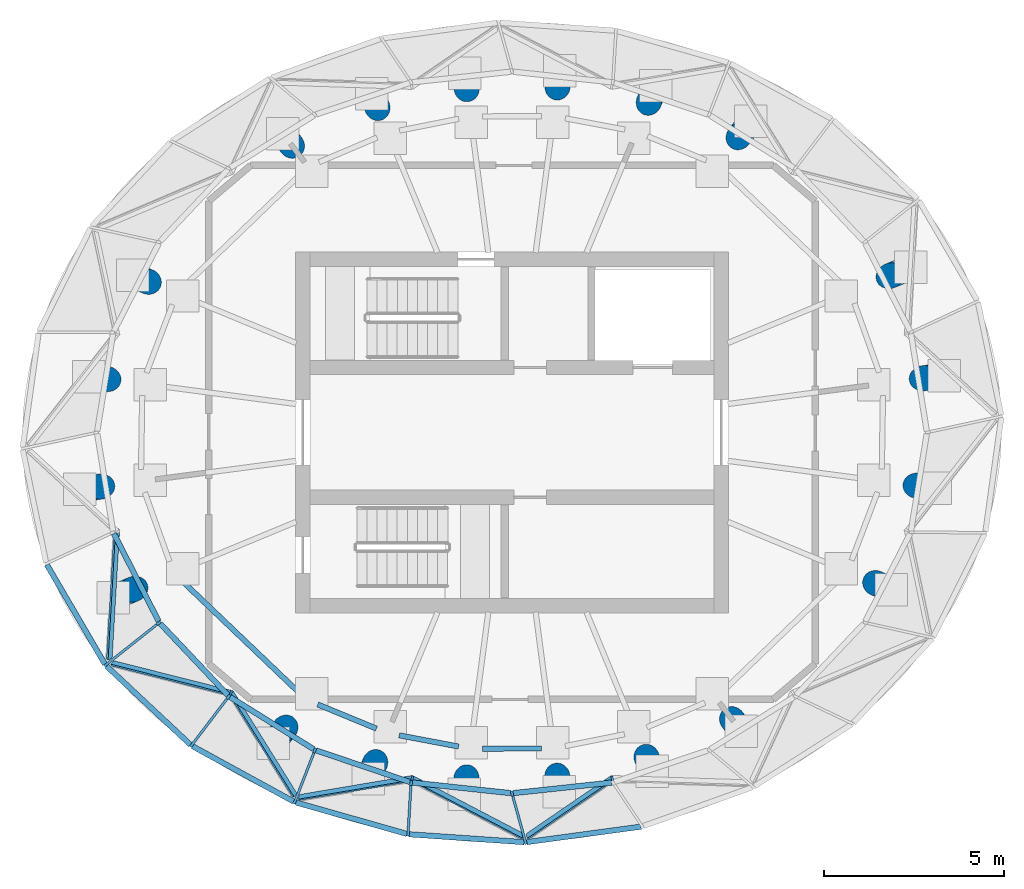
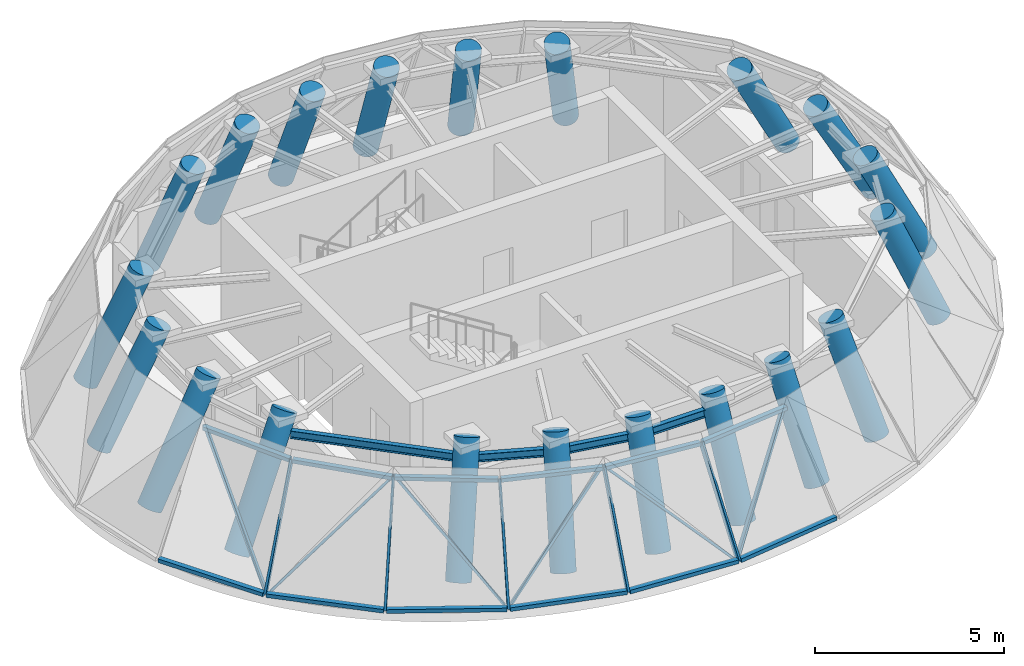
# One storey, part 1 of 8: 23 members, 20 columns, 4 beams, 12 elements without a shape of their own.
"""IFC4 building model written with IfcOpenShell, lengths in metres."""

from ifc_helpers import new_model, si_unit, direction, frame, origin, origin_2d, place, context, subcontext, project, spatial, rectangle, circle, i_section, extrude, source, transform, mapped, material, layer, layer_set, material_profile, profile_set, type_object, element, aggregate, save


model = new_model("IFC4")

# Units and contexts
model_context = context("Model", 3, precision=1e-05, world=origin(), true_north=direction((0.0, 1.0)))
body_context = subcontext(model_context, "Body", "Model", "MODEL_VIEW")
ifc_project = project(units=[si_unit("LENGTHUNIT", "METRE"), si_unit("AREAUNIT", "SQUARE_METRE"), si_unit("VOLUMEUNIT", "CUBIC_METRE"), si_unit("PLANEANGLEUNIT", "RADIAN"), si_unit("MASSUNIT", "GRAM", prefix="KILO")], contexts=[model_context])

# Site, building, storey
site_placement = place(None, origin())
site = spatial("IfcSite", under=ifc_project, at=site_placement, CompositionType="ELEMENT")
building_placement = place(site_placement, origin())
building = spatial("IfcBuilding", under=site, at=building_placement, Name="Spindrift Exchange Tower", CompositionType="ELEMENT")
storey_placement = place(building_placement, frame((0.0, 0.0, 283.60009765625)))
storey = spatial("IfcBuildingStorey", under=building, at=storey_placement, Name="L70", CompositionType="ELEMENT", Elevation=283.60009765625)

# Columns
ifc_material_1 = material(Name="Concrete 40 MPa", Category="concrete")
ifc_material_profile_1 = material_profile(ifc_material_1, circle(Radius=0.35009765625, at=origin_2d()), Name="RC D700")
ifc_profile_set_1 = profile_set([ifc_material_profile_1], Name="Concrete 40 MPa")
column_type = type_object("IfcColumnType", Name="RC Perimeter Column D700 Concrete 40 MPa", PredefinedType="COLUMN", material=ifc_profile_set_1)
shared_shape_1 = source(origin(), body_context, "Body", "SweptSolid", [
    extrude(circle(Radius=0.35009765625, at=origin_2d()), origin(), (0.0, 0.0, 1.0), 4.014404296875),
])
for number, where, z_axis, x_axis, name in (
    (1, (63.980224609375, 49.5771484375, 0.17431640625), (-0.485558404991, -0.063918071599, 0.871864390525), (0.130512333023, -0.991446685873, 0.0), "Perimeter column P6-01 L70"),
    (2, (40.019775390625, 46.4228515625, 0.17431640625), (0.485558404991, 0.063918071599, 0.871864390525), (-0.130512333023, 0.991446685873, 0.0), "Perimeter column P6-13 L70"),
):
    element("IfcColumn", number, at=place(storey_placement, frame(where, z_axis=z_axis, x_axis=x_axis)), inside=storey, type_object=column_type, Name=name, PredefinedType="COLUMN", context=body_context, shape_type="MappedRepresentation", body=[
        mapped(shared_shape_1, transform((0.0, 0.0, 0.0), scale=1.0)),
    ])
shared_shape_2 = source(origin(), body_context, "Body", "SweptSolid", [
    extrude(circle(Radius=0.35009765625, at=origin_2d()), origin(), (0.0, 0.0, 1.0), 3.907958984375),
])
for number, where, z_axis, x_axis, name in (
    (3, (58.61328125, 56.618896484375, 0.15869140625), (-0.270755010199, -0.352968575825, 0.89560309788), (0.793448113602, -0.608637898115, 0.0), "Perimeter column P6-04 L70"),
    (4, (45.38671875, 39.381103515625, 0.15869140625), (0.270755010199, 0.352968575825, 0.89560309788), (-0.793448113602, 0.608637898115, 0.0), "Perimeter column P6-16 L70"),
):
    element("IfcColumn", number, at=place(storey_placement, frame(where, z_axis=z_axis, x_axis=x_axis)), inside=storey, type_object=column_type, Name=name, PredefinedType="COLUMN", context=body_context, shape_type="MappedRepresentation", body=[
        mapped(shared_shape_2, transform((0.0, 0.0, 0.0), scale=1.0)),
    ])
shared_shape_3 = source(origin(), body_context, "Body", "SweptSolid", [
    extrude(circle(Radius=0.35009765625, at=origin_2d()), origin(), (0.0, 0.0, 1.0), 3.83349609375),
])
for number, where, z_axis, x_axis, name in (
    (5, (55.977294921875, 57.601806640625, 0.145751953125), (-0.156153714732, -0.376946915782, 0.912977020553), (0.923864636245, -0.382719393153, 0.0), "Perimeter column P6-05 L70"),
    (6, (48.022705078125, 38.398193359375, 0.145751953125), (0.156153714732, 0.376946915782, 0.912977020553), (-0.923864636245, 0.382719393153, 0.0), "Perimeter column P6-17 L70"),
):
    element("IfcColumn", number, at=place(storey_placement, frame(where, z_axis=z_axis, x_axis=x_axis)), inside=storey, type_object=column_type, Name=name, PredefinedType="COLUMN", context=body_context, shape_type="MappedRepresentation", body=[
        mapped(shared_shape_3, transform((0.0, 0.0, 0.0), scale=1.0)),
    ])
shared_shape_4 = source(origin(), body_context, "Body", "SweptSolid", [
    extrude(circle(Radius=0.35009765625, at=origin_2d()), origin(), (0.0, 0.0, 1.0), 3.784423828125),
])
for number, where, z_axis, x_axis, name in (
    (7, (53.319580078125, 58.023193359375, 0.135986328125), (-0.049674543277, -0.377074942147, 0.924849678464), (0.99143407694, -0.130608081992, 0.0), "Perimeter column P6-06 L70"),
    (8, (50.680419921875, 37.976806640625, 0.135986328125), (0.049674543277, 0.377074942147, 0.924849678464), (-0.99143407694, 0.130608081992, 0.0), "Perimeter column P6-18 L70"),
):
    element("IfcColumn", number, at=place(storey_placement, frame(where, z_axis=z_axis, x_axis=x_axis)), inside=storey, type_object=column_type, Name=name, PredefinedType="COLUMN", context=body_context, shape_type="MappedRepresentation", body=[
        mapped(shared_shape_4, transform((0.0, 0.0, 0.0), scale=1.0)),
    ])
shared_shape_5 = source(origin(), body_context, "Body", "SweptSolid", [
    extrude(circle(Radius=0.35009765625, at=origin_2d()), origin(), (0.0, 0.0, 1.0), 3.75927734375),
])
for number, where, z_axis, x_axis, name in (
    (9, (50.689208984375, 57.9560546875, 0.130615234375), (0.047669920911, -0.361745857591, 0.931057201871), (0.991428831601, 0.13064789271, 0.0), "Perimeter column P6-07 L70"),
    (10, (53.310791015625, 38.0439453125, 0.130615234375), (-0.047669920911, 0.361745857591, 0.931057201871), (-0.991428831601, -0.13064789271, 0.0), "Perimeter column P6-19 L70"),
):
    element("IfcColumn", number, at=place(storey_placement, frame(where, z_axis=z_axis, x_axis=x_axis)), inside=storey, type_object=column_type, Name=name, PredefinedType="COLUMN", context=body_context, shape_type="MappedRepresentation", body=[
        mapped(shared_shape_5, transform((0.0, 0.0, 0.0), scale=1.0)),
    ])
shared_shape_6 = source(origin(), body_context, "Body", "SweptSolid", [
    extrude(circle(Radius=0.35009765625, at=origin_2d()), origin(), (0.0, 0.0, 1.0), 3.746826171875),
])
for number, where, z_axis, x_axis, name in (
    (11, (48.109619140625, 57.39208984375, 0.127685546875), (0.136577604612, -0.329715018769, 0.934149112464), (0.923874408562, 0.38269580244, 0.0), "Perimeter column P6-08 L70"),
    (12, (55.890380859375, 38.60791015625, 0.127685546875), (-0.136577604612, 0.329715018769, 0.934149112464), (-0.923874408562, -0.38269580244, 0.0), "Perimeter column P6-20 L70"),
):
    element("IfcColumn", number, at=place(storey_placement, frame(where, z_axis=z_axis, x_axis=x_axis)), inside=storey, type_object=column_type, Name=name, PredefinedType="COLUMN", context=body_context, shape_type="MappedRepresentation", body=[
        mapped(shared_shape_6, transform((0.0, 0.0, 0.0), scale=1.0)),
    ])
shared_shape_7 = source(origin(), body_context, "Body", "SweptSolid", [
    extrude(circle(Radius=0.35009765625, at=origin_2d()), origin(), (0.0, 0.0, 1.0), 3.807373046875),
])
for number, where, z_axis, x_axis, name in (
    (13, (41.486572265625, 52.354736328125, 0.140625), (0.363645996148, -0.150626775693, 0.919278610613), (0.382682721486, 0.923879826967, 0.0), "Perimeter column P6-11 L70"),
    (14, (62.513427734375, 43.645263671875, 0.140625), (-0.363645996148, 0.150626775693, 0.919278610613), (-0.382682721486, -0.923879826967, 0.0), "Perimeter column P6-23 L70"),
):
    element("IfcColumn", number, at=place(storey_placement, frame(where, z_axis=z_axis, x_axis=x_axis)), inside=storey, type_object=column_type, Name=name, PredefinedType="COLUMN", context=body_context, shape_type="MappedRepresentation", body=[
        mapped(shared_shape_7, transform((0.0, 0.0, 0.0), scale=1.0)),
    ])
shared_shape_8 = source(origin(), body_context, "Body", "SweptSolid", [
    extrude(circle(Radius=0.35009765625, at=origin_2d()), origin(), (0.0, 0.0, 1.0), 3.898193359375),
])
for number, where, z_axis, x_axis, name in (
    (15, (40.26708984375, 49.544677734375, 0.156982421875), (0.436576513493, -0.057492072785, 0.897828273911), (0.13056120367, 0.9914402514, 0.0), "Perimeter column P6-12 L70"),
    (16, (63.73291015625, 46.455322265625, 0.156982421875), (-0.436576513493, 0.057492072785, 0.897828273911), (-0.13056120367, -0.9914402514, 0.0), "Perimeter column P6-24 L70"),
):
    element("IfcColumn", number, at=place(storey_placement, frame(where, z_axis=z_axis, x_axis=x_axis)), inside=storey, type_object=column_type, Name=name, PredefinedType="COLUMN", context=body_context, shape_type="MappedRepresentation", body=[
        mapped(shared_shape_8, transform((0.0, 0.0, 0.0), scale=1.0)),
    ])
shared_shape_9 = source(origin(), body_context, "Body", "SweptSolid", [
    extrude(circle(Radius=0.35009765625, at=origin_2d()), origin(), (0.0, 0.0, 1.0), 4.069580078125),
])
for number, where, z_axis, x_axis, name in (
    (17, (63.047119140625, 52.57568359375, 0.181396484375), (-0.471365631204, -0.195217483001, 0.86006079788), (0.382635660379, -0.923899318869, 0.0), "Perimeter column P6-02 L70"),
    (18, (40.952880859375, 43.42431640625, 0.181396484375), (0.471365631204, 0.195217483001, 0.86006079788), (-0.382635660379, 0.923899318869, 0.0), "Perimeter column P6-14 L70"),
):
    element("IfcColumn", number, at=place(storey_placement, frame(where, z_axis=z_axis, x_axis=x_axis)), inside=storey, type_object=column_type, Name=name, PredefinedType="COLUMN", context=body_context, shape_type="MappedRepresentation", body=[
        mapped(shared_shape_9, transform((0.0, 0.0, 0.0), scale=1.0)),
    ])
shared_shape_10 = source(origin(), body_context, "Body", "SweptSolid", [
    extrude(circle(Radius=0.35009765625, at=origin_2d()), origin(), (0.0, 0.0, 1.0), 3.738525390625),
])
for number, where, z_axis, x_axis, name in (
    (19, (45.644775390625, 56.2822265625, 0.1259765625), (0.213995199353, -0.278905552773, 0.936171857773), (0.793376088289, 0.608731782094, 0.0), "Perimeter column P6-09 L70"),
    (20, (58.355224609375, 39.7177734375, 0.1259765625), (-0.213995199353, 0.278905552773, 0.936171857773), (-0.793376088289, -0.608731782094, 0.0), "Perimeter column P6-21 L70"),
):
    element("IfcColumn", number, at=place(storey_placement, frame(where, z_axis=z_axis, x_axis=x_axis)), inside=storey, type_object=column_type, Name=name, PredefinedType="COLUMN", context=body_context, shape_type="MappedRepresentation", body=[
        mapped(shared_shape_10, transform((0.0, 0.0, 0.0), scale=1.0)),
    ])

# Beams
ifc_material_2 = material(Name="Steel Grade 300", Category="steel")
ifc_material_profile_2 = material_profile(ifc_material_2, i_section(OverallWidth=0.14599609375, OverallDepth=0.251953125, WebThickness=0.006103515625, FlangeThickness=0.008544921875, FilletRadius=0.011962890625, at=origin_2d()), Name="250UB31.4")
ifc_profile_set_2 = profile_set([ifc_material_profile_2], Name="Steel Grade 300")
beam_type = type_object("IfcBeamType", Name="Edge Beam 250UB31.4 Steel Grade 300", PredefinedType="SPANDREL", material=ifc_profile_set_2)
shared_shape_11 = source(origin(), body_context, "Body", "SweptSolid", [
    extrude(i_section(OverallWidth=0.14599609375, OverallDepth=0.251953125, WebThickness=0.006103515625, FlangeThickness=0.008544921875, FilletRadius=0.011962890625, at=origin_2d()), origin(), (0.0, 0.0, 1.0), 4.44677734375),
])
beam_1_placement = place(storey_placement, frame((42.85693359375, 43.885986328125, 3.093994140625), z_axis=(0.723331861731, -0.690500555977, 0.0), x_axis=(0.690500555977, 0.723331861731, 0.0)))
element("IfcBeam", 21, at=beam_1_placement, inside=storey, type_object=beam_type, Name="L70 edge beam E14", PredefinedType="SPANDREL", context=body_context, shape_type="MappedRepresentation", body=[
    mapped(shared_shape_11, transform((0.0, 0.0, 0.0), scale=1.0)),
])
shared_shape_12 = source(origin(), body_context, "Body", "SweptSolid", [
    extrude(i_section(OverallWidth=0.14599609375, OverallDepth=0.251953125, WebThickness=0.006103515625, FlangeThickness=0.008544921875, FilletRadius=0.011962890625, at=origin_2d()), origin(), (0.0, 0.0, 1.0), 1.75830078125),
])
beam_2_placement = place(storey_placement, frame((46.617431640625, 40.4619140625, 3.093994140625), z_axis=(0.924793086423, -0.380470428949, 0.0), x_axis=(0.380470428949, 0.924793086423, 0.0)))
element("IfcBeam", 22, at=beam_2_placement, inside=storey, type_object=beam_type, Name="L70 edge beam E16", PredefinedType="SPANDREL", context=body_context, shape_type="MappedRepresentation", body=[
    mapped(shared_shape_12, transform((0.0, 0.0, 0.0), scale=1.0)),
])
shared_shape_13 = source(origin(), body_context, "Body", "SweptSolid", [
    extrude(i_section(OverallWidth=0.14599609375, OverallDepth=0.251953125, WebThickness=0.006103515625, FlangeThickness=0.008544921875, FilletRadius=0.011962890625, at=origin_2d()), origin(), (0.0, 0.0, 1.0), 1.677978515625),
])
beam_3_placement = place(storey_placement, frame((48.872802734375, 39.606201171875, 3.093994140625), z_axis=(0.982697147571, -0.185219643005, 0.0), x_axis=(0.185219643005, 0.982697147571, 0.0)))
element("IfcBeam", 23, at=beam_3_placement, inside=storey, type_object=beam_type, Name="L70 edge beam E17", PredefinedType="SPANDREL", context=body_context, shape_type="MappedRepresentation", body=[
    mapped(shared_shape_13, transform((0.0, 0.0, 0.0), scale=1.0)),
])
shared_shape_14 = source(origin(), body_context, "Body", "SweptSolid", [
    extrude(i_section(OverallWidth=0.14599609375, OverallDepth=0.251953125, WebThickness=0.006103515625, FlangeThickness=0.008544921875, FilletRadius=0.011962890625, at=origin_2d()), origin(), (0.0, 0.0, 1.0), 1.646728515625),
])
beam_4_placement = place(storey_placement, frame((51.176025390625, 39.235595703125, 3.093994140625), z_axis=(0.999990108955, 0.004447695073, 0.0), x_axis=(-0.004447695073, 0.999990108955, 0.0)))
element("IfcBeam", 24, at=beam_4_placement, inside=storey, type_object=beam_type, Name="L70 edge beam E18", PredefinedType="SPANDREL", context=body_context, shape_type="MappedRepresentation", body=[
    mapped(shared_shape_14, transform((0.0, 0.0, 0.0), scale=1.0)),
])

# Curtain wall, member
ifc_material_3 = material(Name="Fritted laminated glass with bronze frame", Category="glass")
ifc_layer = layer(ifc_material_3, 0.14990234375)
ifc_layer_set = layer_set([ifc_layer], Name="CROWN BRONZE RAKED GLAZED WALL")
curtain_wall_type = type_object("IfcCurtainWallType", Name="CROWN BRONZE RAKED GLAZED WALL", PredefinedType="NOTDEFINED", material=ifc_layer_set)
curtain_wall_1_placement = place(storey_placement, origin())
curtain_wall_1 = element("IfcCurtainWall", 25, at=curtain_wall_1_placement, inside=storey, type_object=curtain_wall_type, Name="L70 Crown Bronze Raked Glazed Wall facet 27", PredefinedType="NOTDEFINED")
ifc_material_4 = material(Name="Bronze anodised aluminium", Category="aluminium")
ifc_material_profile_3 = material_profile(ifc_material_4, rectangle(XDim=0.14990234375, YDim=0.1201171875, at=origin_2d()), Name="CROWN BRONZE RAKED GLAZED WALL TRANSOM 150X120")
ifc_profile_set_3 = profile_set([ifc_material_profile_3], Name="Bronze anodised aluminium")
member_type_1 = type_object("IfcMemberType", Name="CROWN BRONZE RAKED GLAZED WALL TRANSOM 150X120", PredefinedType="USERDEFINED", material=ifc_profile_set_3)
shared_shape_15 = source(origin(), body_context, "Body", "SweptSolid", [
    extrude(rectangle(XDim=0.14990234375, YDim=0.1201171875, at=origin_2d()), origin(), (0.0, 0.0, 1.0), 3.1875),
])
member_1_placement = place(storey_placement, frame((40.718505859375, 41.5810546875, 0.059814453125), z_axis=(-0.504356688365, 0.863495414522, 0.0), x_axis=(-0.863495414522, -0.504356688365, 0.0)))
member_1 = element("IfcMember", 26, at=member_1_placement, type_object=member_type_1, Name="L70 transom CW-R.14a", ObjectType="TRANSOM", PredefinedType="USERDEFINED", context=body_context, shape_type="MappedRepresentation", body=[
    mapped(shared_shape_15, transform((0.0, 0.0, 0.0), scale=1.0)),
])
aggregate(curtain_wall_1, [member_1])

curtain_wall_2_placement = place(storey_placement, origin())
curtain_wall_2 = element("IfcCurtainWall", 27, at=curtain_wall_2_placement, inside=storey, type_object=curtain_wall_type, Name="L70 Crown Bronze Raked Glazed Wall facet 29", PredefinedType="NOTDEFINED")
shared_shape_16 = source(origin(), body_context, "Body", "SweptSolid", [
    extrude(rectangle(XDim=0.14990234375, YDim=0.1201171875, at=origin_2d()), origin(), (0.0, 0.0, 1.0), 3.1904296875),
])
member_2_placement = place(storey_placement, frame((40.76171875, 41.52685546875, 0.059814453125), z_axis=(0.729802037527, -0.683658530278, 0.0), x_axis=(0.683658530278, 0.729802037527, 0.0)))
member_2 = element("IfcMember", 28, at=member_2_placement, type_object=member_type_1, Name="L70 transom CW-R.15a", ObjectType="TRANSOM", PredefinedType="USERDEFINED", context=body_context, shape_type="MappedRepresentation", body=[
    mapped(shared_shape_16, transform((0.0, 0.0, 0.0), scale=1.0)),
])

curtain_wall_3_placement = place(storey_placement, origin())
curtain_wall_3 = element("IfcCurtainWall", 29, at=curtain_wall_3_placement, inside=storey, type_object=curtain_wall_type, Name="L70 Crown Bronze Raked Glazed Wall facet 31", PredefinedType="NOTDEFINED")
shared_shape_17 = source(origin(), body_context, "Body", "SweptSolid", [
    extrude(rectangle(XDim=0.14990234375, YDim=0.1201171875, at=origin_2d()), origin(), (0.0, 0.0, 1.0), 3.192626953125),
])
member_3_placement = place(storey_placement, frame((45.947509765625, 37.772705078125, 0.059814453125), z_axis=(-0.877316308591, 0.479912590667, 0.0), x_axis=(-0.479912590667, -0.877316308591, 0.0)))
member_3 = element("IfcMember", 30, at=member_3_placement, type_object=member_type_1, Name="L70 transom CW-R.16a", ObjectType="TRANSOM", PredefinedType="USERDEFINED", context=body_context, shape_type="MappedRepresentation", body=[
    mapped(shared_shape_17, transform((0.0, 0.0, 0.0), scale=1.0)),
])

curtain_wall_4_placement = place(storey_placement, origin())
curtain_wall_4 = element("IfcCurtainWall", 31, at=curtain_wall_4_placement, inside=storey, type_object=curtain_wall_type, Name="L70 Crown Bronze Raked Glazed Wall facet 33", PredefinedType="NOTDEFINED")
shared_shape_18 = source(origin(), body_context, "Body", "SweptSolid", [
    extrude(rectangle(XDim=0.14990234375, YDim=0.1201171875, at=origin_2d()), origin(), (0.0, 0.0, 1.0), 3.194091796875),
])
member_4_placement = place(storey_placement, frame((46.011962890625, 37.746337890625, 0.059814453125), z_axis=(0.962092972566, -0.27272167523, 0.0), x_axis=(0.27272167523, 0.962092972566, 0.0)))
member_4 = element("IfcMember", 32, at=member_4_placement, type_object=member_type_1, Name="L70 transom CW-R.17a", ObjectType="TRANSOM", PredefinedType="USERDEFINED", context=body_context, shape_type="MappedRepresentation", body=[
    mapped(shared_shape_18, transform((0.0, 0.0, 0.0), scale=1.0)),
])

curtain_wall_5_placement = place(storey_placement, origin())
curtain_wall_5 = element("IfcCurtainWall", 33, at=curtain_wall_5_placement, inside=storey, type_object=curtain_wall_type, Name="L70 Crown Bronze Raked Glazed Wall facet 35", PredefinedType="NOTDEFINED")
shared_shape_19 = source(origin(), body_context, "Body", "SweptSolid", [
    extrude(rectangle(XDim=0.14990234375, YDim=0.1201171875, at=origin_2d()), origin(), (0.0, 0.0, 1.0), 3.19482421875),
])
member_5_placement = place(storey_placement, frame((52.3408203125, 36.6455078125, 0.059814453125), z_axis=(-0.997668698763, 0.068243442972, 0.0), x_axis=(-0.068243442972, -0.997668698763, 0.0)))
member_5 = element("IfcMember", 34, at=member_5_placement, type_object=member_type_1, Name="L70 transom CW-R.18a", ObjectType="TRANSOM", PredefinedType="USERDEFINED", context=body_context, shape_type="MappedRepresentation", body=[
    mapped(shared_shape_19, transform((0.0, 0.0, 0.0), scale=1.0)),
])

curtain_wall_6_placement = place(storey_placement, origin())
curtain_wall_6 = element("IfcCurtainWall", 35, at=curtain_wall_6_placement, inside=storey, type_object=curtain_wall_type, Name="L70 Crown Bronze Raked Glazed Wall facet 37", PredefinedType="NOTDEFINED")
member_6_placement = place(storey_placement, frame((52.410400390625, 36.64794921875, 0.059814453125), z_axis=(0.990986673488, 0.133960490332, 0.0), x_axis=(-0.133960490332, 0.990986673488, 0.0)))
member_6 = element("IfcMember", 36, at=member_6_placement, type_object=member_type_1, Name="L70 transom CW-R.19a", ObjectType="TRANSOM", PredefinedType="USERDEFINED", context=body_context, shape_type="MappedRepresentation", body=[
    mapped(shared_shape_19, transform((0.0, 0.0, 0.0), scale=1.0)),
])

# Curtain wall, members
curtain_wall_7_placement = place(storey_placement, origin())
curtain_wall_7 = element("IfcCurtainWall", 37, at=curtain_wall_7_placement, inside=storey, type_object=curtain_wall_type, Name="L70 Crown Bronze Raked Glazed Wall facet 28", PredefinedType="NOTDEFINED")
shared_shape_20 = source(origin(), body_context, "Body", "SweptSolid", [
    extrude(rectangle(XDim=0.14990234375, YDim=0.1201171875, at=origin_2d()), origin(), (0.0, 0.0, 1.0), 2.7373046875),
])
member_7_placement = place(storey_placement, frame((42.21044921875, 42.761474609375, 3.159912109375), z_axis=(-0.454689853994, 0.890649839541, 0.0), x_axis=(-0.890649839541, -0.454689853994, 0.0)))
member_7 = element("IfcMember", 38, at=member_7_placement, type_object=member_type_1, Name="L70 transom CW-R.14b", ObjectType="TRANSOM", PredefinedType="USERDEFINED", context=body_context, shape_type="MappedRepresentation", body=[
    mapped(shared_shape_20, transform((0.0, 0.0, 0.0), scale=1.0)),
])
ifc_material_profile_4 = material_profile(ifc_material_4, rectangle(XDim=0.070068359375, YDim=0.14990234375, at=origin_2d()), Name="CROWN BRONZE RAKED GLAZED WALL MULLION 70X150")
ifc_profile_set_4 = profile_set([ifc_material_profile_4], Name="Bronze anodised aluminium")
member_type_2 = type_object("IfcMemberType", Name="CROWN BRONZE RAKED GLAZED WALL MULLION 70X150", PredefinedType="MULLION", material=ifc_profile_set_4)
shared_shape_21 = source(origin(), body_context, "Body", "SweptSolid", [
    extrude(rectangle(XDim=0.070068359375, YDim=0.14990234375, at=origin_2d()), origin(), (0.0, 0.0, 1.0), 4.722412109375),
])
member_8_placement = place(storey_placement, frame((40.84130859375, 41.7392578125, 0.056396484375), z_axis=(0.043632736966, 0.751837551779, 0.657903093168), x_axis=(-0.641923443863, 0.525701067003, -0.558186958259)))
member_8 = element("IfcMember", 39, at=member_8_placement, type_object=member_type_2, Name="L70 glazing bar CW-R.14", PredefinedType="MULLION", context=body_context, shape_type="MappedRepresentation", body=[
    mapped(shared_shape_21, transform((0.0, 0.0, 0.0), scale=1.0)),
])
aggregate(curtain_wall_7, [member_7, member_8])

curtain_wall_8_placement = place(storey_placement, origin())
curtain_wall_8 = element("IfcCurtainWall", 40, at=curtain_wall_8_placement, inside=storey, type_object=curtain_wall_type, Name="L70 Crown Bronze Raked Glazed Wall facet 30", PredefinedType="NOTDEFINED")
shared_shape_22 = source(origin(), body_context, "Body", "SweptSolid", [
    extrude(rectangle(XDim=0.14990234375, YDim=0.1201171875, at=origin_2d()), origin(), (0.0, 0.0, 1.0), 2.7392578125),
])
member_9_placement = place(storey_placement, frame((42.250244140625, 42.704833984375, 3.159912109375), z_axis=(0.686631384207, -0.727005737406, 0.0), x_axis=(0.727005737406, 0.686631384207, 0.0)))
member_9 = element("IfcMember", 41, at=member_9_placement, type_object=member_type_1, Name="L70 transom CW-R.15b", ObjectType="TRANSOM", PredefinedType="USERDEFINED", context=body_context, shape_type="MappedRepresentation", body=[
    mapped(shared_shape_22, transform((0.0, 0.0, 0.0), scale=1.0)),
])
shared_shape_23 = source(origin(), body_context, "Body", "SweptSolid", [
    extrude(rectangle(XDim=0.070068359375, YDim=0.14990234375, at=origin_2d()), origin(), (0.0, 0.0, 1.0), 3.650390625),
])
member_10_placement = place(storey_placement, frame((40.75390625, 41.56494140625, 0.0380859375), z_axis=(0.39853740003, 0.315405668492, 0.86121263638), x_axis=(-0.620578227997, 0.78414454212, 0.0)))
member_10 = element("IfcMember", 42, at=member_10_placement, type_object=member_type_2, Name="L70 mullion CW-R.15", PredefinedType="MULLION", context=body_context, shape_type="MappedRepresentation", body=[
    mapped(shared_shape_23, transform((0.0, 0.0, 0.0), scale=1.0)),
])
aggregate(curtain_wall_8, [member_9, member_10])

# Member
shared_shape_24 = source(origin(), body_context, "Body", "SweptSolid", [
    extrude(rectangle(XDim=0.070068359375, YDim=0.14990234375, at=origin_2d()), origin(), (0.0, 0.0, 1.0), 4.611083984375),
])
member_11_placement = place(storey_placement, frame((40.936279296875, 41.6005859375, 0.055419921875), z_axis=(0.716013641769, -0.180710978286, 0.674290743765), x_axis=(-0.3424626982, 0.75076783375, 0.564860124409)))
member_11 = element("IfcMember", 43, at=member_11_placement, type_object=member_type_2, Name="L70 glazing bar CW-R.15", PredefinedType="MULLION", context=body_context, shape_type="MappedRepresentation", body=[
    mapped(shared_shape_24, transform((0.0, 0.0, 0.0), scale=1.0)),
])

aggregate(curtain_wall_2, [member_2, member_11])

# Curtain wall, member
curtain_wall_9_placement = place(storey_placement, origin())
curtain_wall_9 = element("IfcCurtainWall", 44, at=curtain_wall_9_placement, inside=storey, type_object=curtain_wall_type, Name="L70 Crown Bronze Raked Glazed Wall facet 32", PredefinedType="NOTDEFINED")
shared_shape_25 = source(origin(), body_context, "Body", "SweptSolid", [
    extrude(rectangle(XDim=0.14990234375, YDim=0.1201171875, at=origin_2d()), origin(), (0.0, 0.0, 1.0), 2.740966796875),
])
member_12_placement = place(storey_placement, frame((46.509765625, 39.2177734375, 3.159912109375), z_axis=(-0.848233410833, 0.529622583305, 0.0), x_axis=(-0.529622583305, -0.848233410833, 0.0)))
member_12 = element("IfcMember", 45, at=member_12_placement, type_object=member_type_1, Name="L70 transom CW-R.16b", ObjectType="TRANSOM", PredefinedType="USERDEFINED", context=body_context, shape_type="MappedRepresentation", body=[
    mapped(shared_shape_25, transform((0.0, 0.0, 0.0), scale=1.0)),
])

# Member
shared_shape_26 = source(origin(), body_context, "Body", "SweptSolid", [
    extrude(rectangle(XDim=0.070068359375, YDim=0.14990234375, at=origin_2d()), origin(), (0.0, 0.0, 1.0), 3.569091796875),
])
member_13_placement = place(storey_placement, frame((43.127197265625, 39.3369140625, 0.03515625), z_axis=(0.28484315824, 0.374386792759, 0.882439178987), x_axis=(-0.795845450479, 0.605499809208, 0.0)))
member_13 = element("IfcMember", 46, at=member_13_placement, type_object=member_type_2, Name="L70 mullion CW-R.16", PredefinedType="MULLION", context=body_context, shape_type="MappedRepresentation", body=[
    mapped(shared_shape_26, transform((0.0, 0.0, 0.0), scale=1.0)),
])

aggregate(curtain_wall_3, [member_3, member_13])

shared_shape_27 = source(origin(), body_context, "Body", "SweptSolid", [
    extrude(rectangle(XDim=0.070068359375, YDim=0.14990234375, at=origin_2d()), origin(), (0.0, 0.0, 1.0), 4.560302734375),
])
member_14_placement = place(storey_placement, frame((45.975341796875, 37.95361328125, 0.0546875), z_axis=(-0.386102756809, 0.621072945334, 0.682050626976), x_axis=(-0.794454765519, 0.151871829657, -0.588027697392)))
member_14 = element("IfcMember", 47, at=member_14_placement, type_object=member_type_2, Name="L70 glazing bar CW-R.16", PredefinedType="MULLION", context=body_context, shape_type="MappedRepresentation", body=[
    mapped(shared_shape_27, transform((0.0, 0.0, 0.0), scale=1.0)),
])

aggregate(curtain_wall_9, [member_12, member_14])

# Curtain wall, member
curtain_wall_10_placement = place(storey_placement, origin())
curtain_wall_10 = element("IfcCurtainWall", 48, at=curtain_wall_10_placement, inside=storey, type_object=curtain_wall_type, Name="L70 Crown Bronze Raked Glazed Wall facet 34", PredefinedType="NOTDEFINED")
shared_shape_28 = source(origin(), body_context, "Body", "SweptSolid", [
    extrude(rectangle(XDim=0.14990234375, YDim=0.1201171875, at=origin_2d()), origin(), (0.0, 0.0, 1.0), 2.7421875),
])
member_15_placement = place(storey_placement, frame((46.572509765625, 39.18798828125, 3.159912109375), z_axis=(0.947510486601, -0.319724690602, 0.0), x_axis=(0.319724690602, 0.947510486601, 0.0)))
member_15 = element("IfcMember", 49, at=member_15_placement, type_object=member_type_1, Name="L70 transom CW-R.17b", ObjectType="TRANSOM", PredefinedType="USERDEFINED", context=body_context, shape_type="MappedRepresentation", body=[
    mapped(shared_shape_28, transform((0.0, 0.0, 0.0), scale=1.0)),
])

curtain_wall_11_placement = place(storey_placement, origin())
curtain_wall_11 = element("IfcCurtainWall", 50, at=curtain_wall_11_placement, inside=storey, type_object=curtain_wall_type, Name="L70 Crown Bronze Raked Glazed Wall facet 36", PredefinedType="NOTDEFINED")
member_16_placement = place(storey_placement, frame((51.965087890625, 38.003662109375, 3.159912109375), z_axis=(-0.994286227909, 0.106746882814, 0.0), x_axis=(-0.106746882814, -0.994286227909, 0.0)))
member_16 = element("IfcMember", 51, at=member_16_placement, type_object=member_type_1, Name="L70 transom CW-R.18b", ObjectType="TRANSOM", PredefinedType="USERDEFINED", context=body_context, shape_type="MappedRepresentation", body=[
    mapped(shared_shape_28, transform((0.0, 0.0, 0.0), scale=1.0)),
])

curtain_wall_12_placement = place(storey_placement, origin())
curtain_wall_12 = element("IfcCurtainWall", 52, at=curtain_wall_12_placement, inside=storey, type_object=curtain_wall_type, Name="L70 Crown Bronze Raked Glazed Wall facet 38", PredefinedType="NOTDEFINED")
member_17_placement = place(storey_placement, frame((52.034912109375, 38.003662109375, 3.159912109375), z_axis=(0.994286227909, 0.106746882814, 0.0), x_axis=(-0.106746882814, 0.994286227909, 0.0)))
member_17 = element("IfcMember", 53, at=member_17_placement, type_object=member_type_1, Name="L70 transom CW-R.19b", ObjectType="TRANSOM", PredefinedType="USERDEFINED", context=body_context, shape_type="MappedRepresentation", body=[
    mapped(shared_shape_28, transform((0.0, 0.0, 0.0), scale=1.0)),
])

# Member
shared_shape_29 = source(origin(), body_context, "Body", "SweptSolid", [
    extrude(rectangle(XDim=0.070068359375, YDim=0.14990234375, at=origin_2d()), origin(), (0.0, 0.0, 1.0), 3.5009765625),
])
member_18_placement = place(storey_placement, frame((45.98388671875, 37.7705078125, 0.032470703125), z_axis=(0.157048162926, 0.403917832889, 0.901213769755), x_axis=(-0.932028828528, 0.362384137059, 0.0)))
member_18 = element("IfcMember", 54, at=member_18_placement, type_object=member_type_2, Name="L70 mullion CW-R.17", PredefinedType="MULLION", context=body_context, shape_type="MappedRepresentation", body=[
    mapped(shared_shape_29, transform((0.0, 0.0, 0.0), scale=1.0)),
])

aggregate(curtain_wall_10, [member_15, member_18])

shared_shape_30 = source(origin(), body_context, "Body", "SweptSolid", [
    extrude(rectangle(XDim=0.070068359375, YDim=0.14990234375, at=origin_2d()), origin(), (0.0, 0.0, 1.0), 4.437744140625),
])
member_19_placement = place(storey_placement, frame((46.11572265625, 37.885009765625, 0.05322265625), z_axis=(0.70269725044, 0.11855574843, 0.701541950804), x_axis=(-0.663714105117, 0.464450925581, 0.586318108534)))
member_19 = element("IfcMember", 55, at=member_19_placement, type_object=member_type_2, Name="L70 glazing bar CW-R.17", PredefinedType="MULLION", context=body_context, shape_type="MappedRepresentation", body=[
    mapped(shared_shape_30, transform((0.0, 0.0, 0.0), scale=1.0)),
])

aggregate(curtain_wall_4, [member_4, member_19])

shared_shape_31 = source(origin(), body_context, "Body", "SweptSolid", [
    extrude(rectangle(XDim=0.070068359375, YDim=0.14990234375, at=origin_2d()), origin(), (0.0, 0.0, 1.0), 3.458984375),
])
member_20_placement = place(storey_placement, frame((49.119384765625, 36.87939453125, 0.030517578125), z_axis=(0.024138887738, 0.406832014393, 0.913184004549), x_axis=(-0.998244384453, 0.05922962864, 0.0)))
member_20 = element("IfcMember", 56, at=member_20_placement, type_object=member_type_2, Name="L70 mullion CW-R.18", PredefinedType="MULLION", context=body_context, shape_type="MappedRepresentation", body=[
    mapped(shared_shape_31, transform((0.0, 0.0, 0.0), scale=1.0)),
])

aggregate(curtain_wall_5, [member_5, member_20])

shared_shape_32 = source(origin(), body_context, "Body", "SweptSolid", [
    extrude(rectangle(XDim=0.070068359375, YDim=0.14990234375, at=origin_2d()), origin(), (0.0, 0.0, 1.0), 4.647216796875),
])
member_21_placement = place(storey_placement, frame((52.285400390625, 36.8134765625, 0.0556640625), z_axis=(-0.65888872701, 0.344206581037, 0.668870297584), x_axis=(-0.746142352211, -0.186058154687, -0.63926047376)))
member_21 = element("IfcMember", 57, at=member_21_placement, type_object=member_type_2, Name="L70 glazing bar CW-R.18", PredefinedType="MULLION", context=body_context, shape_type="MappedRepresentation", body=[
    mapped(shared_shape_32, transform((0.0, 0.0, 0.0), scale=1.0)),
])

aggregate(curtain_wall_11, [member_16, member_21])

shared_shape_33 = source(origin(), body_context, "Body", "SweptSolid", [
    extrude(rectangle(XDim=0.070068359375, YDim=0.14990234375, at=origin_2d()), origin(), (0.0, 0.0, 1.0), 3.448974609375),
])
member_22_placement = place(storey_placement, frame((52.372314453125, 36.656005859375, 0.02978515625), z_axis=(-0.106960092311, 0.386004886414, 0.916274940352), x_axis=(-0.963687352885, -0.267033117588, 0.0)))
member_22 = element("IfcMember", 58, at=member_22_placement, type_object=member_type_2, Name="L70 mullion CW-R.19", PredefinedType="MULLION", context=body_context, shape_type="MappedRepresentation", body=[
    mapped(shared_shape_33, transform((0.0, 0.0, 0.0), scale=1.0)),
])

aggregate(curtain_wall_12, [member_17, member_22])

shared_shape_34 = source(origin(), body_context, "Body", "SweptSolid", [
    extrude(rectangle(XDim=0.070068359375, YDim=0.14990234375, at=origin_2d()), origin(), (0.0, 0.0, 1.0), 4.21923828125),
])
member_23_placement = place(storey_placement, frame((52.433837890625, 36.810302734375, 0.05029296875), z_axis=(0.555710675391, 0.380387544775, 0.739250269554), x_axis=(-0.82189209659, 0.117436036057, 0.557406637024)))
member_23 = element("IfcMember", 59, at=member_23_placement, type_object=member_type_2, Name="L70 glazing bar CW-R.19", PredefinedType="MULLION", context=body_context, shape_type="MappedRepresentation", body=[
    mapped(shared_shape_34, transform((0.0, 0.0, 0.0), scale=1.0)),
])

aggregate(curtain_wall_6, [member_6, member_23])

save(model, "model.ifc")
